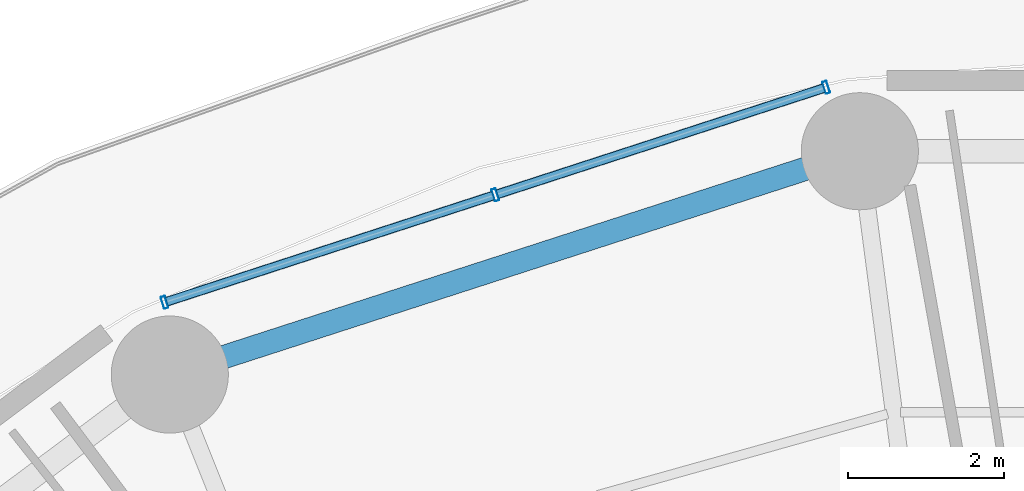
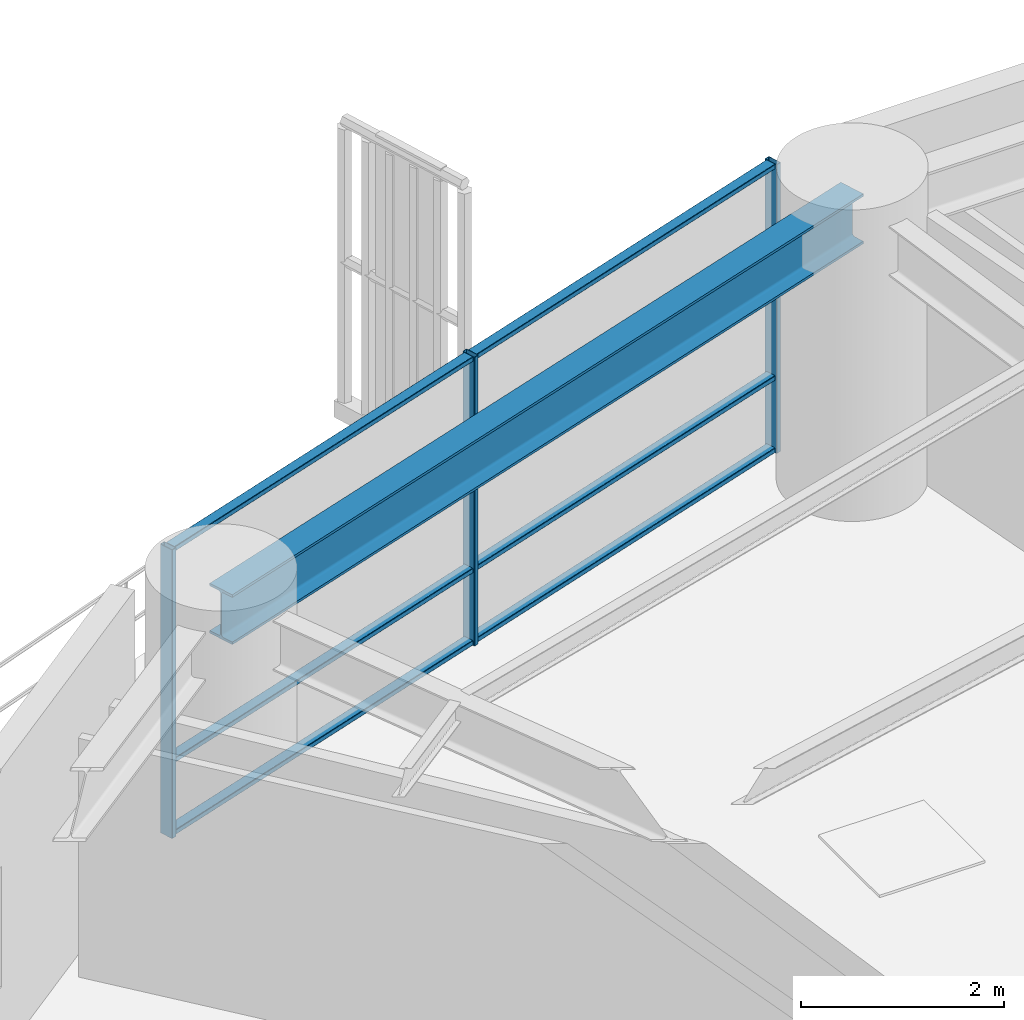
# One storey, part 17 of 31: 9 members, 1 beam, 1 element without a shape of its own.
"""IFC4 building model written with IfcOpenShell, lengths in metres."""

import ifcopenshell
import ifcopenshell.guid

model = None  # the IFC model being written
_history = None  # IfcOwnerHistory: only IFC2X3 demands one
_inside = {}  # id of a spatial element -> (the spatial element, [elements in it])
_under = {}  # id of a project, library or spatial element -> (it, [spatial elements below it])
_declared = {}  # id of a project -> (the project, [libraries it declares])
_typed = {}  # id of a type object -> (the type object, [elements of that type])
_made_of = {}  # id of a material, layer set ... -> (it, [elements and type objects made of it])


def new_model(schema):
    """Start an empty IFC model of exactly this schema.

    Asked for "IFC4X3", IfcOpenShell would pick the latest addendum, in which some entities
    have other attributes; the version numbers below select the first issue.
    IFC2X3 requires an IfcOwnerHistory on every rooted entity: one is made here for all.
    """
    global model, _history
    if schema == "IFC4X3":
        model = ifcopenshell.file(schema_version=(4, 3, 0, 0))
    else:
        model = ifcopenshell.file(schema=schema)
    _inside.clear()
    _under.clear()
    _declared.clear()
    _typed.clear()
    _made_of.clear()
    _history = None
    if model.schema == "IFC2X3":
        org = make("IfcOrganization", Name="unknown")
        user = make(
            "IfcPersonAndOrganization",
            ThePerson=make("IfcPerson", FamilyName="unknown"),
            TheOrganization=org,
        )
        app = make(
            "IfcApplication",
            ApplicationDeveloper=org,
            Version="unknown",
            ApplicationFullName="unknown",
            ApplicationIdentifier="unknown",
        )
        _history = make(
            "IfcOwnerHistory",
            OwningUser=user,
            OwningApplication=app,
            ChangeAction="ADDED",
            CreationDate=0,
        )
    return model


def make(cls, **values):
    """One entity of the class cls with the attributes given. An attribute that is None is left unset."""
    return model.create_entity(
        cls, **{name: value for name, value in values.items() if value is not None}
    )


def rooted(cls, **values):
    """An entity with a GlobalId (a new one), such as an element, a storey or a relation."""
    return make(cls, GlobalId=ifcopenshell.guid.new(), OwnerHistory=_history, **values)


def si_unit(unit_type, name, prefix=None):
    """IfcSIUnit, for example si_unit("LENGTHUNIT", "METRE", prefix="MILLI")."""
    return make("IfcSIUnit", UnitType=unit_type, Prefix=prefix, Name=name)


def assignment(units):
    """IfcUnitAssignment: the units of a project."""
    return None if units is None else make("IfcUnitAssignment", Units=units)


def point(xyz):
    """IfcCartesianPoint."""
    return None if xyz is None else make("IfcCartesianPoint", Coordinates=xyz)


def direction(xyz):
    """IfcDirection."""
    return None if xyz is None else make("IfcDirection", DirectionRatios=xyz)


def frame(location, z_axis=None, x_axis=None):
    """IfcAxis2Placement3D, a coordinate frame: its origin and axes. An axis left out is left unset."""
    return make(
        "IfcAxis2Placement3D",
        Location=point(location),
        Axis=direction(z_axis),
        RefDirection=direction(x_axis),
    )


def frame_2d(location, x_axis=None):
    """IfcAxis2Placement2D, a coordinate frame in the plane: its origin and x axis."""
    return make(
        "IfcAxis2Placement2D", Location=point(location), RefDirection=direction(x_axis)
    )


def origin():
    """The frame at (0, 0, 0) with its axes left unset."""
    return frame((0.0, 0.0, 0.0))


def origin_2d():
    """The frame at (0, 0) in the plane with its x axis left unset."""
    return frame_2d((0.0, 0.0))


def place(relative_to, where):
    """IfcLocalPlacement: puts the frame where relative to a parent placement (None: the world)."""
    return make(
        "IfcLocalPlacement", PlacementRelTo=relative_to, RelativePlacement=where
    )


def context(
    kind, dimensions, precision=None, world=None, true_north=None, identifier=None
):
    """IfcGeometricRepresentationContext, for example the 3D "Model" context."""
    return make(
        "IfcGeometricRepresentationContext",
        ContextIdentifier=identifier,
        ContextType=kind,
        CoordinateSpaceDimension=dimensions,
        Precision=precision,
        WorldCoordinateSystem=world,
        TrueNorth=true_north,
    )


def subcontext(parent, identifier, kind, view, scale=None):
    """IfcGeometricRepresentationSubContext, for example "Body" below "Model"."""
    return make(
        "IfcGeometricRepresentationSubContext",
        ContextIdentifier=identifier,
        ContextType=kind,
        ParentContext=parent,
        TargetScale=scale,
        TargetView=view,
    )


def project(units=None, contexts=None):
    """IfcProject with its units and contexts."""
    return rooted(
        "IfcProject",
        Name="project",
        RepresentationContexts=contexts,
        UnitsInContext=assignment(units),
    )


def spatial(cls, under=None, at=None, **own):
    """A site, building, storey or space (cls), placed at a placement, below another one or the project."""
    s = rooted(cls, ObjectPlacement=at, **own)
    if under is not None:
        _under.setdefault(under.id(), (under, []))[1].append(s)
    return s


def profile(cls, at=None, kind="AREA", **sizes):
    """A parametric profile (cls). Its sizes go by their IFC names, for example OverallWidth=200.0."""
    return make(cls, ProfileType=kind, Position=at, **sizes)


def hollow_rectangle(**sizes):
    """IfcRectangleHollowProfileDef."""
    return profile("IfcRectangleHollowProfileDef", **sizes)


def i_section(**sizes):
    """IfcIShapeProfileDef."""
    return profile("IfcIShapeProfileDef", **sizes)


def extrude(swept, where, along, depth):
    """IfcExtrudedAreaSolid: the profile swept, set in the frame where, extruded along a direction by depth."""
    return make(
        "IfcExtrudedAreaSolid",
        SweptArea=swept,
        Position=where,
        ExtrudedDirection=direction(along),
        Depth=depth,
    )


def shape(context_of_items, identifier, shape_type, items):
    """IfcShapeRepresentation: the items that make up one representation, for example the "Body"."""
    return make(
        "IfcShapeRepresentation",
        ContextOfItems=context_of_items,
        RepresentationIdentifier=identifier,
        RepresentationType=shape_type,
        Items=items,
    )


def material(Name=None, Category=None):
    """IfcMaterial."""
    return make("IfcMaterial", Name=Name, Category=Category)


def layer(
    of_material, thickness, ventilated=None, Name=None, Category=None, Priority=None
):
    """IfcMaterialLayer: one layer of a wall or slab, of a material (None: an air gap)."""
    return make(
        "IfcMaterialLayer",
        Material=of_material,
        LayerThickness=thickness,
        IsVentilated=ventilated,
        Name=Name,
        Category=Category,
        Priority=Priority,
    )


def layer_set(layers, Name=None):
    """IfcMaterialLayerSet."""
    return make("IfcMaterialLayerSet", MaterialLayers=layers, LayerSetName=Name)


def material_profile(
    of_material, cross_section, Name=None, Category=None, Priority=None
):
    """IfcMaterialProfile: a cross section and its material."""
    return make(
        "IfcMaterialProfile",
        Name=Name,
        Material=of_material,
        Profile=cross_section,
        Priority=Priority,
        Category=Category,
    )


def profile_set(profiles, Name=None, composite=None):
    """IfcMaterialProfileSet."""
    return make(
        "IfcMaterialProfileSet",
        Name=Name,
        MaterialProfiles=profiles,
        CompositeProfile=composite,
    )


def made_of(thing, what):
    """Note that an element or type object is made of a material, layer set ...; save() writes the relation."""
    if what is not None:
        _made_of.setdefault(what.id(), (what, []))[1].append(thing)
    return thing


def type_object(cls, material=None, **own):
    """A type object (cls), such as IfcWallType, which elements share."""
    return made_of(rooted(cls, **own), material)


def element(
    cls,
    number,
    at=None,
    inside=None,
    cuts=None,
    type_object=None,
    material=None,
    context=None,
    identifier="Body",
    shape_type=None,
    held_by="IfcProductDefinitionShape",
    body=None,
    shapes=None,
    **own,
):
    """One element of the class cls, such as IfcWall. Its Tag is "e" and its number.

    at: its placement. inside: the storey or other place that contains it. cuts: it is an
    opening in that element (IfcRelVoidsElement). A single representation is given by context,
    identifier, shape_type and body (its items); several are given by shapes. held_by: the class
    of the entity that holds the representations. save() writes the other relations.
    """
    e = rooted(cls, Tag="e%d" % number, ObjectPlacement=at, **own)
    if body is not None:
        shapes = [shape(context, identifier, shape_type, body)]
    if shapes is not None:
        e.Representation = make(held_by, Representations=shapes)
    if inside is not None:
        _inside.setdefault(inside.id(), (inside, []))[1].append(e)
    if cuts is not None:
        rooted(
            "IfcRelVoidsElement", RelatingBuildingElement=cuts, RelatedOpeningElement=e
        )
    if type_object is not None:
        _typed.setdefault(type_object.id(), (type_object, []))[1].append(e)
    return made_of(e, material)


def aggregate(whole, parts):
    """IfcRelAggregates: a whole, such as a stair, and the parts it consists of."""
    return rooted("IfcRelAggregates", RelatingObject=whole, RelatedObjects=parts)


def save(model, path):
    """Write the relations noted so far, then the file.

    IfcRelAggregates (storeys below a building ...), IfcRelContainedInSpatialStructure (elements
    in a storey), IfcRelDefinesByType, IfcRelAssociatesMaterial and IfcRelDeclares: one each for
    every whole, place, type object, material and project.
    """
    for whole, parts in _under.values():
        aggregate(whole, parts)
    for where, things in _inside.values():
        rooted(
            "IfcRelContainedInSpatialStructure",
            RelatedElements=things,
            RelatingStructure=where,
        )
    for kind, things in _typed.values():
        rooted("IfcRelDefinesByType", RelatedObjects=things, RelatingType=kind)
    for what, things in _made_of.values():
        rooted("IfcRelAssociatesMaterial", RelatedObjects=things, RelatingMaterial=what)
    for by, libraries in _declared.values():
        rooted("IfcRelDeclares", RelatingContext=by, RelatedDefinitions=libraries)
    model.write(path)


model = new_model("IFC4")

# Units and contexts
model_context = context("Model", 3, precision=1e-05, world=origin(), true_north=direction((0.0, 1.0)))
body_context = subcontext(model_context, "Body", "Model", "MODEL_VIEW")
ifc_project = project(units=[si_unit("LENGTHUNIT", "METRE"), si_unit("AREAUNIT", "SQUARE_METRE"), si_unit("VOLUMEUNIT", "CUBIC_METRE"), si_unit("PLANEANGLEUNIT", "RADIAN"), si_unit("MASSUNIT", "GRAM", prefix="KILO")], contexts=[model_context])

# Site, building, storey
site_placement = place(None, origin())
site = spatial("IfcSite", under=ifc_project, at=site_placement, CompositionType="ELEMENT")
building_placement = place(site_placement, origin())
building = spatial("IfcBuilding", under=site, at=building_placement, Name="Kelanora Arch Commons", CompositionType="ELEMENT")
storey_placement = place(building_placement, frame((0.0, 0.0, 63.75)))
storey = spatial("IfcBuildingStorey", under=building, at=storey_placement, Name="L16", CompositionType="ELEMENT", Elevation=63.75)

# Beam
ifc_material_1 = material(Name="Steel S355", Category="steel")
ifc_material_profile_1 = material_profile(ifc_material_1, i_section(OverallWidth=0.300048828125, OverallDepth=0.60009765625, WebThickness=0.015380859375, FlangeThickness=0.030029296875, FilletRadius=0.027099609375, at=origin_2d()), Name="HEB600")
ifc_profile_set_1 = profile_set([ifc_material_profile_1], Name="Steel S355")
beam_type = type_object("IfcBeamType", Name="BM-SPN-Z1", PredefinedType="SPANDREL", material=ifc_profile_set_1)
beam_placement = place(storey_placement, frame((69.297607421875, 81.714111328125, 3.18994140625), z_axis=(-0.951417120402, -0.307904957748, 0.0), x_axis=(0.307904957748, -0.951417120402, 0.0)))
element("IfcBeam", 1, at=beam_placement, inside=storey, type_object=beam_type, Name="Perimeter Spandrel Beam BS-10 L16", PredefinedType="SPANDREL", context=body_context, shape_type="SweptSolid", body=[
    extrude(i_section(OverallWidth=0.300048828125, OverallDepth=0.60009765625, WebThickness=0.015380859375, FlangeThickness=0.030029296875, FilletRadius=0.027099609375, at=origin_2d()), origin(), (0.0, 0.0, 1.0), 9.288818359375),
])

# Curtain wall, members
ifc_material_2 = material(Name="Terracotta ceramic-fritted low-E glass and aluminium", Category="masonry")
ifc_layer = layer(ifc_material_2, 0.159912109375)
ifc_layer_set = layer_set([ifc_layer], Name="Terracotta ceramic-fritted low-E glass and aluminium")
curtain_wall_type = type_object("IfcCurtainWallType", Name="CW-SYS-01", PredefinedType="NOTDEFINED", material=ifc_layer_set)
curtain_wall_placement = place(storey_placement, origin())
curtain_wall = element("IfcCurtainWall", 2, at=curtain_wall_placement, inside=storey, type_object=curtain_wall_type, Name="Unitised Curtain Wall L16-B05", PredefinedType="NOTDEFINED")
ifc_material_3 = material(Name="Powder-coated aluminium terracotta", Category="masonry")
ifc_material_profile_2 = material_profile(ifc_material_3, hollow_rectangle(XDim=0.159912109375, YDim=0.06005859375, WallThickness=0.0048828125, InnerFilletRadius=0.0048828125, OuterFilletRadius=0.010009765625, at=origin_2d()), Name="CWM160x60")
ifc_profile_set_2 = profile_set([ifc_material_profile_2], Name="Powder-coated aluminium terracotta")
member_type_1 = type_object("IfcMemberType", Name="CWM-STD", PredefinedType="MULLION", material=ifc_profile_set_2)
member_1_placement = place(storey_placement, frame((68.865478515625, 82.53173828125, 0.0), z_axis=(0.0, 0.0, 1.0), x_axis=(0.30905758454, -0.951043326793, 0.0)))
member_1 = element("IfcMember", 3, at=member_1_placement, type_object=member_type_1, Name="CW-01 mullion 1", PredefinedType="MULLION", context=body_context, shape_type="SweptSolid", body=[
    extrude(hollow_rectangle(XDim=0.159912109375, YDim=0.06005859375, WallThickness=0.0048828125, InnerFilletRadius=0.0048828125, OuterFilletRadius=0.010009765625, at=origin_2d()), origin(), (0.0, 0.0, 1.0), 3.47509765625),
])
member_2_placement = place(storey_placement, frame((64.62890625, 81.15478515625, 0.0), z_axis=(0.0, 0.0, 1.0), x_axis=(0.30905758454, -0.951043326793, 0.0)))
member_2 = element("IfcMember", 4, at=member_2_placement, type_object=member_type_1, Name="CW-01 mullion 2", PredefinedType="MULLION", context=body_context, shape_type="SweptSolid", body=[
    extrude(hollow_rectangle(XDim=0.159912109375, YDim=0.06005859375, WallThickness=0.0048828125, InnerFilletRadius=0.0048828125, OuterFilletRadius=0.010009765625, at=origin_2d()), origin(), (0.0, 0.0, 1.0), 3.47509765625),
])
member_3_placement = place(storey_placement, frame((60.392333984375, 79.778076171875, 0.0), z_axis=(0.0, 0.0, 1.0), x_axis=(0.30905758454, -0.951043326793, 0.0)))
member_3 = element("IfcMember", 5, at=member_3_placement, type_object=member_type_1, Name="CW-01 mullion 3", PredefinedType="MULLION", context=body_context, shape_type="SweptSolid", body=[
    extrude(hollow_rectangle(XDim=0.159912109375, YDim=0.06005859375, WallThickness=0.0048828125, InnerFilletRadius=0.0048828125, OuterFilletRadius=0.010009765625, at=origin_2d()), origin(), (0.0, 0.0, 1.0), 3.47509765625),
])
ifc_material_profile_3 = material_profile(ifc_material_3, hollow_rectangle(XDim=0.1201171875, YDim=0.06005859375, WallThickness=0.0048828125, InnerFilletRadius=0.0048828125, OuterFilletRadius=0.010009765625, at=origin_2d()), Name="CWT120x60")
ifc_profile_set_3 = profile_set([ifc_material_profile_3], Name="Powder-coated aluminium terracotta")
member_type_2 = type_object("IfcMemberType", Name="CWT-STD", PredefinedType="USERDEFINED", material=ifc_profile_set_3)
member_4_placement = place(storey_placement, frame((68.8369140625, 82.5224609375, 0.030029296875), z_axis=(-0.951028761285, -0.309102402464, 0.0), x_axis=(0.309102402464, -0.951028761285, 0.0)))
member_4 = element("IfcMember", 6, at=member_4_placement, type_object=member_type_2, Name="CW-01 transom 1.1", ObjectType="TRANSOM", PredefinedType="USERDEFINED", context=body_context, shape_type="SweptSolid", body=[
    extrude(hollow_rectangle(XDim=0.1201171875, YDim=0.06005859375, WallThickness=0.0048828125, InnerFilletRadius=0.0048828125, OuterFilletRadius=0.010009765625, at=origin_2d()), origin(), (0.0, 0.0, 1.0), 4.394775390625),
])
member_5_placement = place(storey_placement, frame((68.8369140625, 82.5224609375, 0.89990234375), z_axis=(-0.951028761285, -0.309102402464, 0.0), x_axis=(0.309102402464, -0.951028761285, 0.0)))
member_5 = element("IfcMember", 7, at=member_5_placement, type_object=member_type_2, Name="CW-01 transom 1.2", ObjectType="TRANSOM", PredefinedType="USERDEFINED", context=body_context, shape_type="SweptSolid", body=[
    extrude(hollow_rectangle(XDim=0.1201171875, YDim=0.06005859375, WallThickness=0.0048828125, InnerFilletRadius=0.0048828125, OuterFilletRadius=0.010009765625, at=origin_2d()), origin(), (0.0, 0.0, 1.0), 4.394775390625),
])
member_6_placement = place(storey_placement, frame((68.8369140625, 82.5224609375, 3.445068359375), z_axis=(-0.951028761285, -0.309102402464, 0.0), x_axis=(0.309102402464, -0.951028761285, 0.0)))
member_6 = element("IfcMember", 8, at=member_6_placement, type_object=member_type_2, Name="CW-01 transom 1.3", ObjectType="TRANSOM", PredefinedType="USERDEFINED", context=body_context, shape_type="SweptSolid", body=[
    extrude(hollow_rectangle(XDim=0.1201171875, YDim=0.06005859375, WallThickness=0.0048828125, InnerFilletRadius=0.0048828125, OuterFilletRadius=0.010009765625, at=origin_2d()), origin(), (0.0, 0.0, 1.0), 4.394775390625),
])
member_7_placement = place(storey_placement, frame((64.600341796875, 81.1455078125, 0.030029296875), z_axis=(-0.951045091182, -0.309052155047, 0.0), x_axis=(0.309052155047, -0.951045091182, 0.0)))
member_7 = element("IfcMember", 9, at=member_7_placement, type_object=member_type_2, Name="CW-01 transom 2.1", ObjectType="TRANSOM", PredefinedType="USERDEFINED", context=body_context, shape_type="SweptSolid", body=[
    extrude(hollow_rectangle(XDim=0.1201171875, YDim=0.06005859375, WallThickness=0.0048828125, InnerFilletRadius=0.0048828125, OuterFilletRadius=0.010009765625, at=origin_2d()), origin(), (0.0, 0.0, 1.0), 4.39453125),
])
member_8_placement = place(storey_placement, frame((64.600341796875, 81.1455078125, 0.89990234375), z_axis=(-0.951045091182, -0.309052155047, 0.0), x_axis=(0.309052155047, -0.951045091182, 0.0)))
member_8 = element("IfcMember", 10, at=member_8_placement, type_object=member_type_2, Name="CW-01 transom 2.2", ObjectType="TRANSOM", PredefinedType="USERDEFINED", context=body_context, shape_type="SweptSolid", body=[
    extrude(hollow_rectangle(XDim=0.1201171875, YDim=0.06005859375, WallThickness=0.0048828125, InnerFilletRadius=0.0048828125, OuterFilletRadius=0.010009765625, at=origin_2d()), origin(), (0.0, 0.0, 1.0), 4.39453125),
])
member_9_placement = place(storey_placement, frame((64.600341796875, 81.1455078125, 3.445068359375), z_axis=(-0.951045091182, -0.309052155047, 0.0), x_axis=(0.309052155047, -0.951045091182, 0.0)))
member_9 = element("IfcMember", 11, at=member_9_placement, type_object=member_type_2, Name="CW-01 transom 2.3", ObjectType="TRANSOM", PredefinedType="USERDEFINED", context=body_context, shape_type="SweptSolid", body=[
    extrude(hollow_rectangle(XDim=0.1201171875, YDim=0.06005859375, WallThickness=0.0048828125, InnerFilletRadius=0.0048828125, OuterFilletRadius=0.010009765625, at=origin_2d()), origin(), (0.0, 0.0, 1.0), 4.39453125),
])
aggregate(curtain_wall, [member_1, member_2, member_3, member_4, member_5, member_6, member_7, member_8, member_9])

save(model, "model.ifc")
